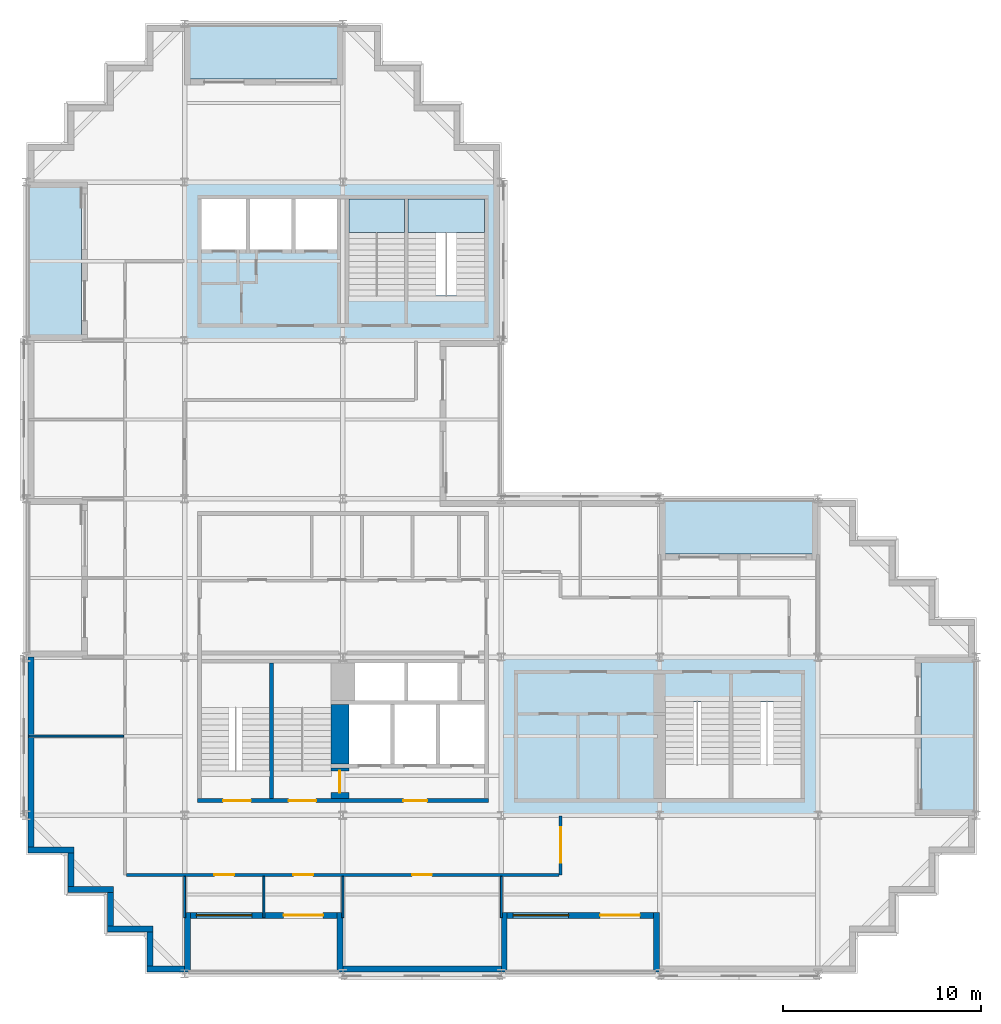
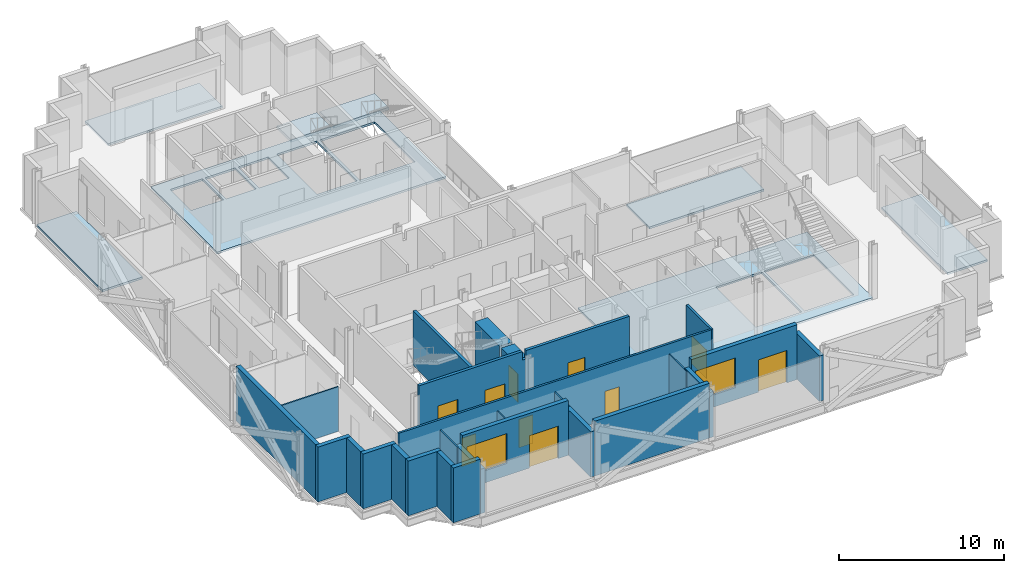
# One storey, part 4 of 11: 26 walls, 10 doors, 8 slabs, 2 windows, 12 openings, 2 elements without a shape of their own.
"""IFC4 building model written with IfcOpenShell, lengths in metres."""

from ifc_helpers import new_model, si_unit, direction, frame, frame_2d, origin, place, context, subcontext, project, spatial, polyline, rectangle, outline, extrude, material, layer, layer_set, type_object, element, fill, aggregate, save


model = new_model("IFC4")

# Units and contexts
model_context = context("Model", 3, precision=1e-05, world=origin(), true_north=direction((0.0, 1.0)))
body_context = subcontext(model_context, "Body", "Model", "MODEL_VIEW")
ifc_project = project(units=[si_unit("LENGTHUNIT", "METRE"), si_unit("AREAUNIT", "SQUARE_METRE"), si_unit("VOLUMEUNIT", "CUBIC_METRE"), si_unit("PLANEANGLEUNIT", "RADIAN"), si_unit("MASSUNIT", "GRAM", prefix="KILO")], contexts=[model_context])

# Site, building, storey
site_placement = place(None, origin())
site = spatial("IfcSite", under=ifc_project, at=site_placement, CompositionType="ELEMENT")
building_placement = place(site_placement, origin())
building = spatial("IfcBuilding", under=site, at=building_placement, Name="Immortelle Media Tower", CompositionType="ELEMENT")
storey_placement = place(building_placement, frame((0.0, 0.0, 141.0)))
storey = spatial("IfcBuildingStorey", under=building, at=storey_placement, Name="L28", CompositionType="ELEMENT", Elevation=141.0)

# Slabs
ifc_material_1 = material(Name="Concrete C50/60 composite deck", Category="concrete")
ifc_layer_1 = layer(ifc_material_1, 0.14990234375)
ifc_layer_set_1 = layer_set([ifc_layer_1], Name="Concrete C50/60 composite deck")
slab_type_1 = type_object("IfcSlabType", Name="Balcony slab 150", PredefinedType="FLOOR", material=ifc_layer_set_1)
slab_1_placement = place(storey_placement, frame((0.0, 0.0, -0.14990234375)))
element("IfcSlab", 1, at=slab_1_placement, inside=storey, type_object=slab_type_1, Name="Balcony slab L28 E0", PredefinedType="FLOOR", context=body_context, shape_type="SweptSolid", body=[
    extrude(outline(polyline([(48.0, 8.0), (48.0, 16.0), (45.199951171875, 16.0), (45.199951171875, 8.0), (48.0, 8.0)])), origin(), (0.0, 0.0, 1.0), 0.14990234375),
])
slab_2_placement = place(storey_placement, frame((0.0, 0.0, -0.14990234375)))
element("IfcSlab", 2, at=slab_2_placement, inside=storey, type_object=slab_type_1, Name="Balcony slab L28 N0", PredefinedType="FLOOR", context=body_context, shape_type="SweptSolid", body=[
    extrude(outline(polyline([(40.0, 21.199951171875), (40.0, 24.0), (32.0, 24.0), (32.0, 21.199951171875), (40.0, 21.199951171875)])), origin(), (0.0, 0.0, 1.0), 0.14990234375),
])
slab_3_placement = place(storey_placement, frame((0.0, 0.0, -0.14990234375)))
element("IfcSlab", 3, at=slab_3_placement, inside=storey, type_object=slab_type_1, Name="Balcony slab L28 N0", PredefinedType="FLOOR", context=body_context, shape_type="SweptSolid", body=[
    extrude(outline(polyline([(16.0, 45.199951171875), (16.0, 48.0), (8.0, 48.0), (8.0, 45.199951171875), (16.0, 45.199951171875)])), origin(), (0.0, 0.0, 1.0), 0.14990234375),
])
slab_4_placement = place(storey_placement, frame((0.0, 0.0, -0.14990234375)))
element("IfcSlab", 4, at=slab_4_placement, inside=storey, type_object=slab_type_1, Name="Balcony slab L28 W0", PredefinedType="FLOOR", context=body_context, shape_type="SweptSolid", body=[
    extrude(outline(polyline([(2.800048828125, 32.0), (2.800048828125, 40.0), (0.0, 40.0), (0.0, 32.0), (2.800048828125, 32.0)])), origin(), (0.0, 0.0, 1.0), 0.14990234375),
])
ifc_material_2 = material(Name="Concrete C50/60", Category="concrete")
ifc_layer_2 = layer(ifc_material_2, 0.14990234375)
ifc_layer_set_2 = layer_set([ifc_layer_2], Name="Concrete C50/60")
slab_type_2 = type_object("IfcSlabType", Name="Core floor slab 150", PredefinedType="FLOOR", material=ifc_layer_set_2)
slab_5_placement = place(storey_placement, frame((0.0, 0.0, -0.14990234375)))
element("IfcSlab", 5, at=slab_5_placement, inside=storey, type_object=slab_type_2, Name="Core floor SE", PredefinedType="FLOOR", context=body_context, shape_type="SweptSolid", body=[
    extrude(outline(polyline([(24.0, 8.0), (40.0, 8.0), (40.0, 16.0), (24.0, 16.0), (24.0, 8.0)]), holes=[polyline([(32.300048828125, 8.85009765625), (35.5, 8.85009765625), (35.5, 13.72998046875), (32.300048828125, 13.72998046875), (32.300048828125, 8.85009765625)]), polyline([(35.699951171875, 8.85009765625), (39.14990234375, 8.85009765625), (39.14990234375, 13.72998046875), (35.699951171875, 13.72998046875), (35.699951171875, 8.85009765625)])]), origin(), (0.0, 0.0, 1.0), 0.14990234375),
])
slab_6_placement = place(storey_placement, frame((0.0, 0.0, -0.14990234375)))
element("IfcSlab", 6, at=slab_6_placement, inside=storey, type_object=slab_type_2, Name="Core floor NW", PredefinedType="FLOOR", context=body_context, shape_type="SweptSolid", body=[
    extrude(outline(polyline([(8.0, 32.0), (24.0, 32.0), (24.0, 40.0), (8.0, 40.0), (8.0, 32.0)]), holes=[polyline([(8.85009765625, 36.60009765625), (11.10009765625, 36.60009765625), (11.10009765625, 39.14990234375), (8.85009765625, 39.14990234375), (8.85009765625, 36.60009765625)]), polyline([(11.300048828125, 36.60009765625), (13.39990234375, 36.60009765625), (13.39990234375, 39.14990234375), (11.300048828125, 39.14990234375), (11.300048828125, 36.60009765625)]), polyline([(13.60009765625, 36.60009765625), (15.699951171875, 36.60009765625), (15.699951171875, 39.14990234375), (13.60009765625, 39.14990234375), (13.60009765625, 36.60009765625)]), polyline([(16.300048828125, 34.27001953125), (19.10009765625, 34.27001953125), (19.10009765625, 39.14990234375), (16.300048828125, 39.14990234375), (16.300048828125, 34.27001953125)]), polyline([(19.300048828125, 34.27001953125), (23.14990234375, 34.27001953125), (23.14990234375, 39.14990234375), (19.300048828125, 39.14990234375), (19.300048828125, 34.27001953125)])]), origin(), (0.0, 0.0, 1.0), 0.14990234375),
])

# Stair, slab
ifc_material_3 = material(Name="Steel ASTM A992 Gr 50", Category="steel")
stair_type = type_object("IfcStairType", Name="Stair with flights", PredefinedType="DOUBLE_RETURN_STAIR", material=ifc_material_3)
stair_1_placement = place(storey_placement, origin())
stair_1 = element("IfcStair", 7, at=stair_1_placement, inside=storey, type_object=stair_type, Name="Exit stair NW1", PredefinedType="DOUBLE_RETURN_STAIR")
ifc_material_4 = material(Name="Steel ASTM A572 Gr 50", Category="steel")
ifc_layer_3 = layer(ifc_material_4, 0.199951171875)
ifc_layer_set_3 = layer_set([ifc_layer_3], Name="Steel ASTM A572 Gr 50")
slab_type_3 = type_object("IfcSlabType", Name="Stair landing 200", PredefinedType="LANDING", material=ifc_layer_set_3)
slab_7_placement = place(storey_placement, frame((0.0, 0.0, 1.89990234375)))
slab_7 = element("IfcSlab", 8, at=slab_7_placement, type_object=slab_type_3, Name="ST NW1 landing 1", PredefinedType="LANDING", context=body_context, shape_type="SweptSolid", body=[
    extrude(outline(polyline([(16.300048828125, 37.43994140625), (19.10009765625, 37.43994140625), (19.10009765625, 39.14990234375), (16.300048828125, 39.14990234375), (16.300048828125, 37.43994140625)])), origin(), (0.0, 0.0, 1.0), 0.2001953125),
])
aggregate(stair_1, [slab_7])

stair_2_placement = place(storey_placement, origin())
stair_2 = element("IfcStair", 9, at=stair_2_placement, inside=storey, type_object=stair_type, Name="Exit stair NW2", PredefinedType="DOUBLE_RETURN_STAIR")
slab_8_placement = place(storey_placement, frame((0.0, 0.0, 1.89990234375)))
slab_8 = element("IfcSlab", 10, at=slab_8_placement, type_object=slab_type_3, Name="ST NW2 landing 1", PredefinedType="LANDING", context=body_context, shape_type="SweptSolid", body=[
    extrude(outline(polyline([(19.300048828125, 37.43994140625), (23.14990234375, 37.43994140625), (23.14990234375, 39.14990234375), (19.300048828125, 39.14990234375), (19.300048828125, 37.43994140625)])), origin(), (0.0, 0.0, 1.0), 0.2001953125),
])
aggregate(stair_2, [slab_8])

# Wall, openings, doors
ifc_material_5 = material(Name="Fire-rated gypsum board", Category="gypsum")
ifc_layer_4 = layer(ifc_material_5, 0.012451171875)
ifc_material_6 = material(Name="Steel ASTM A653 SS Gr 50 stud frame with mineral wool", Category="steel")
ifc_layer_5 = layer(ifc_material_6, 0.125)
ifc_layer_6 = layer(ifc_material_5, 0.012451171875)
ifc_layer_set_4 = layer_set([ifc_layer_4, ifc_layer_5, ifc_layer_6], Name="Steel ASTM A653 SS Gr 50 stud frame with mineral wool")
wall_type_1 = type_object("IfcWallType", Name="Corridor wall 150", PredefinedType="PARTITIONING", material=ifc_layer_set_4)
wall_1_placement = place(storey_placement, frame((5.074951171875, 5.0, 0.0), z_axis=(0.0, 0.0, 1.0), x_axis=(1.0, 0.0, 0.0)))
wall_1 = element("IfcWall", 11, at=wall_1_placement, inside=storey, type_object=wall_type_1, Name="Partition L28-005", PredefinedType="PARTITIONING", context=body_context, shape_type="SweptSolid", body=[
    extrude(rectangle(XDim=21.85009765625, YDim=0.14990234375, at=frame_2d((10.925048828125, 0.0))), origin(), (0.0, 0.0, 1.0), 4.050048828125),
])
opening_1_placement = place(wall_1_placement, frame((15.425048828125, 0.0, 0.0), z_axis=(0.0, 0.0, 1.0), x_axis=(-1.0, 0.0, 0.0)))
opening_1 = element("IfcOpeningElement", 12, at=opening_1_placement, cuts=wall_1, Name="Opening C2-F001", PredefinedType="OPENING", context=body_context, shape_type="SweptSolid", body=[
    extrude(rectangle(XDim=1.0, YDim=2.10009765625, at=frame_2d((0.5, 1.050048828125))), frame((0.0, 0.0849609375, 0.0), z_axis=(0.0, -1.0, 0.0), x_axis=(1.0, 0.0, 0.0)), (0.0, 0.0, 1.0), 0.169921875),
])
opening_2_placement = place(wall_1_placement, frame((5.425048828125, 0.0, 0.0), z_axis=(0.0, 0.0, 1.0), x_axis=(-1.0, 0.0, 0.0)))
opening_2 = element("IfcOpeningElement", 13, at=opening_2_placement, cuts=wall_1, Name="Opening C2-F002", PredefinedType="OPENING", context=body_context, shape_type="SweptSolid", body=[
    extrude(rectangle(XDim=1.0, YDim=2.10009765625, at=frame_2d((0.5, 1.050048828125))), frame((0.0, 0.0849609375, 0.0), z_axis=(0.0, -1.0, 0.0), x_axis=(1.0, 0.0, 0.0)), (0.0, 0.0, 1.0), 0.169921875),
])
opening_3_placement = place(wall_1_placement, frame((9.425048828125, 0.0, 0.0), z_axis=(0.0, 0.0, 1.0), x_axis=(-1.0, 0.0, 0.0)))
opening_3 = element("IfcOpeningElement", 14, at=opening_3_placement, cuts=wall_1, Name="Opening C2-F003", PredefinedType="OPENING", context=body_context, shape_type="SweptSolid", body=[
    extrude(rectangle(XDim=1.0, YDim=2.10009765625, at=frame_2d((0.5, 1.050048828125))), frame((0.0, 0.0849609375, 0.0), z_axis=(0.0, -1.0, 0.0), x_axis=(1.0, 0.0, 0.0)), (0.0, 0.0, 1.0), 0.169921875),
])
ifc_material_7 = material(Name="Timber veneered door leaf, galvanised steel frame ASTM A653", Category="steel")
door_type_1 = type_object("IfcDoorType", Name="Room door 1000 x 2100", OperationType="NOTDEFINED", PredefinedType="DOOR", material=ifc_material_7)
door_1_placement = place(opening_1_placement, origin())
door_1 = element("IfcDoor", 15, at=door_1_placement, inside=storey, type_object=door_type_1, Name="Door C2-F001", OperationType="SINGLE_SWING_LEFT", OverallHeight=2.10009765625, OverallWidth=1.0, PredefinedType="DOOR", context=body_context, shape_type="SweptSolid", body=[
    extrude(rectangle(XDim=1.0, YDim=2.10009765625, at=frame_2d((0.5, 1.050048828125))), frame((0.0, 0.02490234375, 0.0), z_axis=(0.0, -1.0, 0.0), x_axis=(1.0, 0.0, 0.0)), (0.0, 0.0, 1.0), 0.050048828125),
])
fill(opening_1, door_1)
door_2_placement = place(opening_2_placement, origin())
door_2 = element("IfcDoor", 16, at=door_2_placement, inside=storey, type_object=door_type_1, Name="Door C2-F002", OperationType="SINGLE_SWING_RIGHT", OverallHeight=2.10009765625, OverallWidth=1.0, PredefinedType="DOOR", context=body_context, shape_type="SweptSolid", body=[
    extrude(rectangle(XDim=1.0, YDim=2.10009765625, at=frame_2d((0.5, 1.050048828125))), frame((0.0, 0.02490234375, 0.0), z_axis=(0.0, -1.0, 0.0), x_axis=(1.0, 0.0, 0.0)), (0.0, 0.0, 1.0), 0.050048828125),
])
fill(opening_2, door_2)
door_3_placement = place(opening_3_placement, origin())
door_3 = element("IfcDoor", 17, at=door_3_placement, inside=storey, type_object=door_type_1, Name="Door C2-F003", OperationType="SINGLE_SWING_RIGHT", OverallHeight=2.10009765625, OverallWidth=1.0, PredefinedType="DOOR", context=body_context, shape_type="SweptSolid", body=[
    extrude(rectangle(XDim=1.0, YDim=2.10009765625, at=frame_2d((0.5, 1.050048828125))), frame((0.0, 0.02490234375, 0.0), z_axis=(0.0, -1.0, 0.0), x_axis=(1.0, 0.0, 0.0)), (0.0, 0.0, 1.0), 0.050048828125),
])
fill(opening_3, door_3)

# Wall, opening, door
wall_2_placement = place(storey_placement, frame((27.0, 5.0, 0.0), z_axis=(0.0, 0.0, 1.0), x_axis=(0.0, 1.0, 0.0)))
wall_2 = element("IfcWall", 18, at=wall_2_placement, inside=storey, type_object=wall_type_1, Name="Partition L28-007", PredefinedType="PARTITIONING", context=body_context, shape_type="SweptSolid", body=[
    extrude(rectangle(XDim=2.969970703125, YDim=0.14990234375, at=frame_2d((1.48486328125, 0.0))), origin(), (0.0, 0.0, 1.0), 4.050048828125),
])
opening_4_placement = place(wall_2_placement, frame((0.60009765625, 0.0, 0.0)))
opening_4 = element("IfcOpeningElement", 19, at=opening_4_placement, cuts=wall_2, Name="Opening C2-F004", PredefinedType="OPENING", context=body_context, shape_type="SweptSolid", body=[
    extrude(rectangle(XDim=1.800048828125, YDim=2.10009765625, at=frame_2d((0.89990234375, 1.050048828125))), frame((0.0, 0.0849609375, 0.0), z_axis=(0.0, -1.0, 0.0), x_axis=(1.0, 0.0, 0.0)), (0.0, 0.0, 1.0), 0.169921875),
])
door_type_2 = type_object("IfcDoorType", Name="Room door 1800 x 2100", OperationType="DOUBLE_DOOR_SINGLE_SWING", PredefinedType="DOOR", material=ifc_material_7)
door_4_placement = place(opening_4_placement, origin())
door_4 = element("IfcDoor", 20, at=door_4_placement, inside=storey, type_object=door_type_2, Name="Door C2-F004", OperationType="DOUBLE_DOOR_SINGLE_SWING", OverallHeight=2.10009765625, OverallWidth=1.800048828125, PredefinedType="DOOR", context=body_context, shape_type="SweptSolid", body=[
    extrude(rectangle(XDim=1.800048828125, YDim=2.10009765625, at=frame_2d((0.89990234375, 1.050048828125))), frame((0.0, 0.02490234375, 0.0), z_axis=(0.0, -1.0, 0.0), x_axis=(1.0, 0.0, 0.0)), (0.0, 0.0, 1.0), 0.050048828125),
])
fill(opening_4, door_4)

# Walls
ifc_material_8 = material(Name="Pale aluminium cladding panel", Category="aluminium")
ifc_layer_7 = layer(ifc_material_8, 0.030029296875)
ifc_layer_8 = layer(ifc_material_6, 0.257568359375)
ifc_material_9 = material(Name="Moisture-resistant gypsum board", Category="gypsum")
ifc_layer_9 = layer(ifc_material_9, 0.012451171875)
ifc_layer_set_5 = layer_set([ifc_layer_7, ifc_layer_8, ifc_layer_9], Name="Steel ASTM A653 SS Gr 50 stud frame with mineral wool")
wall_type_2 = type_object("IfcWallType", Name="Facade wall 300", PredefinedType="SOLIDWALL", material=ifc_layer_set_5)
wall_3_placement = place(storey_placement, frame((0.10009765625, 6.25, 0.0), z_axis=(0.0, 0.0, 1.0), x_axis=(1.0, 0.0, 0.0)))
element("IfcWall", 21, at=wall_3_placement, inside=storey, type_object=wall_type_2, Name="Facade wall L28 S0", PredefinedType="SOLIDWALL", context=body_context, shape_type="SweptSolid", body=[
    extrude(rectangle(XDim=2.2998046875, YDim=0.300048828125, at=frame_2d((1.14990234375, 0.0))), origin(), (0.0, 0.0, 1.0), 4.050048828125),
])
wall_4_placement = place(storey_placement, frame((2.25, 6.10009765625, 0.0), z_axis=(0.0, 0.0, 1.0), x_axis=(0.0, -1.0, 0.0)))
element("IfcWall", 22, at=wall_4_placement, inside=storey, type_object=wall_type_2, Name="Facade wall L28 W1", PredefinedType="SOLIDWALL", context=body_context, shape_type="SweptSolid", body=[
    extrude(rectangle(XDim=1.7001953125, YDim=0.300048828125, at=frame_2d((0.85009765625, 0.0))), origin(), (0.0, 0.0, 1.0), 4.050048828125),
])
wall_5_placement = place(storey_placement, frame((2.10009765625, 4.25, 0.0), z_axis=(0.0, 0.0, 1.0), x_axis=(1.0, 0.0, 0.0)))
element("IfcWall", 23, at=wall_5_placement, inside=storey, type_object=wall_type_2, Name="Facade wall L28 S2", PredefinedType="SOLIDWALL", context=body_context, shape_type="SweptSolid", body=[
    extrude(rectangle(XDim=2.2998046875, YDim=0.300048828125, at=frame_2d((1.14990234375, 0.0))), origin(), (0.0, 0.0, 1.0), 4.050048828125),
])
wall_6_placement = place(storey_placement, frame((4.25, 4.10009765625, 0.0), z_axis=(0.0, 0.0, 1.0), x_axis=(0.0, -1.0, 0.0)))
element("IfcWall", 24, at=wall_6_placement, inside=storey, type_object=wall_type_2, Name="Facade wall L28 W3", PredefinedType="SOLIDWALL", context=body_context, shape_type="SweptSolid", body=[
    extrude(rectangle(XDim=1.7001953125, YDim=0.300048828125, at=frame_2d((0.85009765625, 0.0))), origin(), (0.0, 0.0, 1.0), 4.050048828125),
])
wall_7_placement = place(storey_placement, frame((4.10009765625, 2.25, 0.0), z_axis=(0.0, 0.0, 1.0), x_axis=(1.0, 0.0, 0.0)))
element("IfcWall", 25, at=wall_7_placement, inside=storey, type_object=wall_type_2, Name="Facade wall L28 S4", PredefinedType="SOLIDWALL", context=body_context, shape_type="SweptSolid", body=[
    extrude(rectangle(XDim=2.2998046875, YDim=0.300048828125, at=frame_2d((1.14990234375, 0.0))), origin(), (0.0, 0.0, 1.0), 4.050048828125),
])
wall_8_placement = place(storey_placement, frame((6.25, 2.10009765625, 0.0), z_axis=(0.0, 0.0, 1.0), x_axis=(0.0, -1.0, 0.0)))
element("IfcWall", 26, at=wall_8_placement, inside=storey, type_object=wall_type_2, Name="Facade wall L28 W5", PredefinedType="SOLIDWALL", context=body_context, shape_type="SweptSolid", body=[
    extrude(rectangle(XDim=1.7001953125, YDim=0.300048828125, at=frame_2d((0.85009765625, 0.0))), origin(), (0.0, 0.0, 1.0), 4.050048828125),
])
wall_9_placement = place(storey_placement, frame((6.10009765625, 0.25, 0.0), z_axis=(0.0, 0.0, 1.0), x_axis=(1.0, 0.0, 0.0)))
element("IfcWall", 27, at=wall_9_placement, inside=storey, type_object=wall_type_2, Name="Facade wall L28 S6", PredefinedType="SOLIDWALL", context=body_context, shape_type="SweptSolid", body=[
    extrude(rectangle(XDim=1.89990234375, YDim=0.300048828125, at=frame_2d((0.949951171875, 0.0))), origin(), (0.0, 0.0, 1.0), 4.050048828125),
])

# Wall, openings, door, window
wall_10_placement = place(storey_placement, frame((8.300048828125, 2.949951171875, 0.0), z_axis=(0.0, 0.0, 1.0), x_axis=(1.0, 0.0, 0.0)))
wall_10 = element("IfcWall", 28, at=wall_10_placement, inside=storey, type_object=wall_type_2, Name="Loggia wall L28 S6", PredefinedType="SOLIDWALL", context=body_context, shape_type="SweptSolid", body=[
    extrude(rectangle(XDim=7.39990234375, YDim=0.300048828125, at=frame_2d((3.699951171875, 0.0))), origin(), (0.0, 0.0, 1.0), 4.050048828125),
])
opening_5_placement = place(wall_10_placement, frame((0.300048828125, 0.0, 0.89990234375)))
opening_5 = element("IfcOpeningElement", 29, at=opening_5_placement, cuts=wall_10, Name="Opening W1", PredefinedType="OPENING", context=body_context, shape_type="SweptSolid", body=[
    extrude(rectangle(XDim=2.800048828125, YDim=2.199951171875, at=frame_2d((1.39990234375, 1.10009765625))), frame((0.0, 0.159912109375, 0.0), z_axis=(0.0, -1.0, 0.0), x_axis=(1.0, 0.0, 0.0)), (0.0, 0.0, 1.0), 0.320068359375),
])
opening_6_placement = place(wall_10_placement, frame((4.699951171875, 0.0, 0.0)))
opening_6 = element("IfcOpeningElement", 30, at=opening_6_placement, cuts=wall_10, Name="Opening C2-E001", PredefinedType="OPENING", context=body_context, shape_type="SweptSolid", body=[
    extrude(rectangle(XDim=2.0, YDim=2.39990234375, at=frame_2d((1.0, 1.199951171875))), frame((0.0, 0.159912109375, 0.0), z_axis=(0.0, -1.0, 0.0), x_axis=(1.0, 0.0, 0.0)), (0.0, 0.0, 1.0), 0.320068359375),
])
ifc_material_10 = material(Name="Aluminium frame, glazed leaves", Category="aluminium")
door_type_3 = type_object("IfcDoorType", Name="Loggia door 2000 x 2400", OperationType="DOUBLE_DOOR_SINGLE_SWING", PredefinedType="DOOR", material=ifc_material_10)
door_5_placement = place(opening_6_placement, origin())
door_5 = element("IfcDoor", 31, at=door_5_placement, inside=storey, type_object=door_type_3, Name="Door C2-E001", OperationType="DOUBLE_DOOR_SINGLE_SWING", OverallHeight=2.39990234375, OverallWidth=2.0, PredefinedType="DOOR", context=body_context, shape_type="SweptSolid", body=[
    extrude(rectangle(XDim=2.0, YDim=2.39990234375, at=frame_2d((1.0, 1.199951171875))), frame((0.0, 0.02490234375, 0.0), z_axis=(0.0, -1.0, 0.0), x_axis=(1.0, 0.0, 0.0)), (0.0, 0.0, 1.0), 0.050048828125),
])
fill(opening_6, door_5)
ifc_material_11 = material(Name="Aluminium frame", Category="aluminium")
window_type = type_object("IfcWindowType", Name="Window 2800 x 2200", PartitioningType="SINGLE_PANEL", PredefinedType="WINDOW", material=ifc_material_11)
window_1_placement = place(opening_5_placement, origin())
window_1 = element("IfcWindow", 32, at=window_1_placement, inside=storey, type_object=window_type, Name="Window L28 L28-R6-B0", OverallHeight=2.199951171875, OverallWidth=2.800048828125, PartitioningType="SINGLE_PANEL", PredefinedType="WINDOW", context=body_context, shape_type="SweptSolid", body=[
    extrude(rectangle(XDim=2.800048828125, YDim=2.199951171875, at=frame_2d((1.39990234375, 1.10009765625))), frame((0.0, 0.030029296875, 0.0), z_axis=(0.0, -1.0, 0.0), x_axis=(1.0, 0.0, 0.0)), (0.0, 0.0, 1.0), 0.06005859375),
])
fill(opening_5, window_1)

# Walls
wall_11_placement = place(storey_placement, frame((8.14990234375, 0.10009765625, 0.0), z_axis=(0.0, 0.0, 1.0), x_axis=(0.0, 1.0, 0.0)))
element("IfcWall", 33, at=wall_11_placement, inside=storey, type_object=wall_type_2, Name="Loggia cheek wall L28 S", PredefinedType="SOLIDWALL", context=body_context, shape_type="SweptSolid", body=[
    extrude(rectangle(XDim=3.0, YDim=0.300048828125, at=frame_2d((1.5, 0.0))), origin(), (0.0, 0.0, 1.0), 3.287109375),
])
wall_12_placement = place(storey_placement, frame((15.85009765625, 0.10009765625, 0.0), z_axis=(0.0, 0.0, 1.0), x_axis=(0.0, 1.0, 0.0)))
element("IfcWall", 34, at=wall_12_placement, inside=storey, type_object=wall_type_2, Name="Loggia cheek wall L28 S", PredefinedType="SOLIDWALL", context=body_context, shape_type="SweptSolid", body=[
    extrude(rectangle(XDim=3.0, YDim=0.300048828125, at=frame_2d((1.5, 0.0))), origin(), (0.0, 0.0, 1.0), 3.35595703125),
])
wall_13_placement = place(storey_placement, frame((16.0, 0.25, 0.0), z_axis=(0.0, 0.0, 1.0), x_axis=(1.0, 0.0, 0.0)))
element("IfcWall", 35, at=wall_13_placement, inside=storey, type_object=wall_type_2, Name="Facade wall L28 S6", PredefinedType="SOLIDWALL", context=body_context, shape_type="SweptSolid", body=[
    extrude(rectangle(XDim=8.0, YDim=0.300048828125, at=frame_2d((4.0, 0.0))), origin(), (0.0, 0.0, 1.0), 4.050048828125),
])

# Wall, openings, door, window
wall_14_placement = place(storey_placement, frame((24.300048828125, 2.949951171875, 0.0), z_axis=(0.0, 0.0, 1.0), x_axis=(1.0, 0.0, 0.0)))
wall_14 = element("IfcWall", 36, at=wall_14_placement, inside=storey, type_object=wall_type_2, Name="Loggia wall L28 S6", PredefinedType="SOLIDWALL", context=body_context, shape_type="SweptSolid", body=[
    extrude(rectangle(XDim=7.39990234375, YDim=0.300048828125, at=frame_2d((3.699951171875, 0.0))), origin(), (0.0, 0.0, 1.0), 4.050048828125),
])
opening_7_placement = place(wall_14_placement, frame((0.300048828125, 0.0, 0.89990234375)))
opening_7 = element("IfcOpeningElement", 37, at=opening_7_placement, cuts=wall_14, Name="Opening W1", PredefinedType="OPENING", context=body_context, shape_type="SweptSolid", body=[
    extrude(rectangle(XDim=2.800048828125, YDim=2.199951171875, at=frame_2d((1.39990234375, 1.10009765625))), frame((0.0, 0.159912109375, 0.0), z_axis=(0.0, -1.0, 0.0), x_axis=(1.0, 0.0, 0.0)), (0.0, 0.0, 1.0), 0.320068359375),
])
opening_8_placement = place(wall_14_placement, frame((4.699951171875, 0.0, 0.0)))
opening_8 = element("IfcOpeningElement", 38, at=opening_8_placement, cuts=wall_14, Name="Opening C2-E002", PredefinedType="OPENING", context=body_context, shape_type="SweptSolid", body=[
    extrude(rectangle(XDim=2.0, YDim=2.39990234375, at=frame_2d((1.0, 1.199951171875))), frame((0.0, 0.159912109375, 0.0), z_axis=(0.0, -1.0, 0.0), x_axis=(1.0, 0.0, 0.0)), (0.0, 0.0, 1.0), 0.320068359375),
])
door_6_placement = place(opening_8_placement, origin())
door_6 = element("IfcDoor", 39, at=door_6_placement, inside=storey, type_object=door_type_3, Name="Door C2-E002", OperationType="DOUBLE_DOOR_SINGLE_SWING", OverallHeight=2.39990234375, OverallWidth=2.0, PredefinedType="DOOR", context=body_context, shape_type="SweptSolid", body=[
    extrude(rectangle(XDim=2.0, YDim=2.39990234375, at=frame_2d((1.0, 1.199951171875))), frame((0.0, 0.02490234375, 0.0), z_axis=(0.0, -1.0, 0.0), x_axis=(1.0, 0.0, 0.0)), (0.0, 0.0, 1.0), 0.050048828125),
])
fill(opening_8, door_6)
window_2_placement = place(opening_7_placement, origin())
window_2 = element("IfcWindow", 40, at=window_2_placement, inside=storey, type_object=window_type, Name="Window L28 L28-R6-B2", OverallHeight=2.199951171875, OverallWidth=2.800048828125, PartitioningType="SINGLE_PANEL", PredefinedType="WINDOW", context=body_context, shape_type="SweptSolid", body=[
    extrude(rectangle(XDim=2.800048828125, YDim=2.199951171875, at=frame_2d((1.39990234375, 1.10009765625))), frame((0.0, 0.030029296875, 0.0), z_axis=(0.0, -1.0, 0.0), x_axis=(1.0, 0.0, 0.0)), (0.0, 0.0, 1.0), 0.06005859375),
])
fill(opening_7, window_2)

# Walls
for number, where, z_axis, x_axis, name in (
    (41, (24.14990234375, 0.10009765625, 0.0), (0.0, 0.0, 1.0), (0.0, 1.0, 0.0), "Loggia cheek wall L28 S"),
    (42, (31.85009765625, 0.10009765625, 0.0), (0.0, 0.0, 1.0), (0.0, 1.0, 0.0), "Loggia cheek wall L28 S"),
):
    element("IfcWall", number, at=place(storey_placement, frame(where, z_axis=z_axis, x_axis=x_axis)), inside=storey, type_object=wall_type_2, Name=name, PredefinedType="SOLIDWALL", context=body_context, shape_type="SweptSolid", body=[
        extrude(rectangle(XDim=3.0, YDim=0.300048828125, at=frame_2d((1.5, 0.0))), origin(), (0.0, 0.0, 1.0), 3.35595703125),
    ])
wall_15_placement = place(storey_placement, frame((0.25, 16.0, 0.0), z_axis=(0.0, 0.0, 1.0), x_axis=(0.0, -1.0, 0.0)))
element("IfcWall", 43, at=wall_15_placement, inside=storey, type_object=wall_type_2, Name="Facade wall L28 W35", PredefinedType="SOLIDWALL", context=body_context, shape_type="SweptSolid", body=[
    extrude(rectangle(XDim=9.60009765625, YDim=0.300048828125, at=frame_2d((4.800048828125, 0.0))), origin(), (0.0, 0.0, 1.0), 4.050048828125),
])
ifc_material_12 = material(Name="Gypsum board", Category="gypsum")
ifc_layer_10 = layer(ifc_material_12, 0.012451171875)
ifc_layer_11 = layer(ifc_material_6, 0.074951171875)
ifc_layer_12 = layer(ifc_material_12, 0.012451171875)
ifc_layer_set_6 = layer_set([ifc_layer_10, ifc_layer_11, ifc_layer_12], Name="Steel ASTM A653 SS Gr 50 stud frame with mineral wool")
wall_type_3 = type_object("IfcWallType", Name="Partition 100", PredefinedType="PARTITIONING", material=ifc_layer_set_6)
for number, where, z_axis, x_axis, name in (
    (44, (8.0, 2.830078125, 0.0), (0.0, 0.0, 1.0), (0.0, 1.0, 0.0), "Partition L28-001"),
    (45, (12.0, 2.830078125, 0.0), (0.0, 0.0, 1.0), (0.0, 1.0, 0.0), "Partition L28-002"),
    (46, (16.0, 2.830078125, 0.0), (0.0, 0.0, 1.0), (0.0, 1.0, 0.0), "Partition L28-003"),
    (47, (24.0, 2.830078125, 0.0), (0.0, 0.0, 1.0), (0.0, 1.0, 0.0), "Partition L28-004"),
):
    element("IfcWall", number, at=place(storey_placement, frame(where, z_axis=z_axis, x_axis=x_axis)), inside=storey, type_object=wall_type_3, Name=name, PredefinedType="PARTITIONING", context=body_context, shape_type="SweptSolid", body=[
        extrude(rectangle(XDim=2.094970703125, YDim=0.10009765625, at=frame_2d((1.04736328125, 0.0))), origin(), (0.0, 0.0, 1.0), 3.2880859375),
    ])
wall_16_placement = place(storey_placement, frame((0.1298828125, 12.0, 0.0), z_axis=(0.0, 0.0, 1.0), x_axis=(1.0, 0.0, 0.0)))
element("IfcWall", 48, at=wall_16_placement, inside=storey, type_object=wall_type_3, Name="Partition L28-008", PredefinedType="PARTITIONING", context=body_context, shape_type="SweptSolid", body=[
    extrude(rectangle(XDim=4.795166015625, YDim=0.10009765625, at=frame_2d((2.3974609375, 0.0))), origin(), (0.0, 0.0, 1.0), 3.2880859375),
])

# Wall, openings, doors
ifc_material_13 = material(Name="Concrete C60", Category="concrete")
ifc_layer_13 = layer(ifc_material_13, 0.199951171875)
ifc_layer_set_7 = layer_set([ifc_layer_13], Name="Concrete C60")
wall_type_4 = type_object("IfcWallType", Name="Stair shaft wall 200", PredefinedType="PARTITIONING", material=ifc_layer_set_7)
wall_17_placement = place(storey_placement, frame((8.64990234375, 8.75, 0.0), z_axis=(0.0, 0.0, 1.0), x_axis=(1.0, 0.0, 0.0)))
wall_17 = element("IfcWall", 49, at=wall_17_placement, inside=storey, type_object=wall_type_4, Name="Stair shaft wall SW", PredefinedType="PARTITIONING", context=body_context, shape_type="SweptSolid", body=[
    extrude(outline(polyline([(0.0, 0.0), (14.7001953125, 0.0), (14.699951171875, 4.050048828125), (7.469482421875, 4.050048828125), (7.468505859375, 3.431884765625), (7.2314453125, 3.431884765625), (7.23046875, 4.050048828125), (0.0, 4.050048828125), (0.0, 0.0)])), frame((0.0, 0.10009765625, 0.0), z_axis=(0.0, -1.0, 0.0), x_axis=(1.0, 0.0, 0.0)), (0.0, 0.0, 1.0), 0.199951171875),
])
opening_9_placement = place(wall_17_placement, frame((1.300048828125, 0.0, 0.0)))
opening_9 = element("IfcOpeningElement", 50, at=opening_9_placement, cuts=wall_17, Name="Opening C2-K002", PredefinedType="OPENING", context=body_context, shape_type="SweptSolid", body=[
    extrude(rectangle(XDim=1.39990234375, YDim=2.10009765625, at=frame_2d((0.699951171875, 1.050048828125))), frame((0.0, 0.10986328125, 0.0), z_axis=(0.0, -1.0, 0.0), x_axis=(1.0, 0.0, 0.0)), (0.0, 0.0, 1.0), 0.219970703125),
])
opening_10_placement = place(wall_17_placement, frame((4.60009765625, 0.0, 0.0)))
opening_10 = element("IfcOpeningElement", 51, at=opening_10_placement, cuts=wall_17, Name="Opening C2-K004", PredefinedType="OPENING", context=body_context, shape_type="SweptSolid", body=[
    extrude(rectangle(XDim=1.39990234375, YDim=2.10009765625, at=frame_2d((0.699951171875, 1.050048828125))), frame((0.0, 0.10986328125, 0.0), z_axis=(0.0, -1.0, 0.0), x_axis=(1.0, 0.0, 0.0)), (0.0, 0.0, 1.0), 0.219970703125),
])
opening_11_placement = place(wall_17_placement, frame((10.39990234375, 0.0, 0.0)))
opening_11 = element("IfcOpeningElement", 52, at=opening_11_placement, cuts=wall_17, Name="Opening C2-K009", PredefinedType="OPENING", context=body_context, shape_type="SweptSolid", body=[
    extrude(rectangle(XDim=1.199951171875, YDim=2.10009765625, at=frame_2d((0.60009765625, 1.050048828125))), frame((0.0, 0.10986328125, 0.0), z_axis=(0.0, -1.0, 0.0), x_axis=(1.0, 0.0, 0.0)), (0.0, 0.0, 1.0), 0.219970703125),
])
ifc_material_14 = material(Name="Galvanised steel door leaf and frame ASTM A653", Category="steel")
door_type_4 = type_object("IfcDoorType", Name="Fire-fighting lobby door 1200 x 2100", OperationType="NOTDEFINED", PredefinedType="NOTDEFINED", material=ifc_material_14)
door_7_placement = place(opening_11_placement, origin())
door_7 = element("IfcDoor", 53, at=door_7_placement, inside=storey, type_object=door_type_4, Name="Fire-fighting lobby C2-K009", OperationType="SINGLE_SWING_LEFT", OverallHeight=2.10009765625, OverallWidth=1.199951171875, PredefinedType="NOTDEFINED", context=body_context, shape_type="SweptSolid", body=[
    extrude(rectangle(XDim=1.199951171875, YDim=2.10009765625, at=frame_2d((0.60009765625, 1.050048828125))), frame((0.0, 0.02490234375, 0.0), z_axis=(0.0, -1.0, 0.0), x_axis=(1.0, 0.0, 0.0)), (0.0, 0.0, 1.0), 0.050048828125),
])
fill(opening_11, door_7)
door_type_5 = type_object("IfcDoorType", Name="Stair door 1400 x 2100", OperationType="DOUBLE_DOOR_SINGLE_SWING", PredefinedType="NOTDEFINED", material=ifc_material_14)
door_8_placement = place(opening_9_placement, origin())
door_8 = element("IfcDoor", 54, at=door_8_placement, inside=storey, type_object=door_type_5, Name="Stair C2-K002", OperationType="DOUBLE_DOOR_SINGLE_SWING", OverallHeight=2.10009765625, OverallWidth=1.39990234375, PredefinedType="NOTDEFINED", context=body_context, shape_type="SweptSolid", body=[
    extrude(rectangle(XDim=1.39990234375, YDim=2.10009765625, at=frame_2d((0.699951171875, 1.050048828125))), frame((0.0, 0.02490234375, 0.0), z_axis=(0.0, -1.0, 0.0), x_axis=(1.0, 0.0, 0.0)), (0.0, 0.0, 1.0), 0.050048828125),
])
fill(opening_9, door_8)
door_9_placement = place(opening_10_placement, origin())
door_9 = element("IfcDoor", 55, at=door_9_placement, inside=storey, type_object=door_type_5, Name="Stair C2-K004", OperationType="DOUBLE_DOOR_SINGLE_SWING", OverallHeight=2.10009765625, OverallWidth=1.39990234375, PredefinedType="NOTDEFINED", context=body_context, shape_type="SweptSolid", body=[
    extrude(rectangle(XDim=1.39990234375, YDim=2.10009765625, at=frame_2d((0.699951171875, 1.050048828125))), frame((0.0, 0.02490234375, 0.0), z_axis=(0.0, -1.0, 0.0), x_axis=(1.0, 0.0, 0.0)), (0.0, 0.0, 1.0), 0.050048828125),
])
fill(opening_10, door_9)

# Wall
wall_18_placement = place(storey_placement, frame((12.39990234375, 8.85009765625, 0.0), z_axis=(0.0, 0.0, 1.0), x_axis=(0.0, 1.0, 0.0)))
element("IfcWall", 56, at=wall_18_placement, inside=storey, type_object=wall_type_4, Name="Stair shaft wall SW", PredefinedType="PARTITIONING", context=body_context, shape_type="SweptSolid", body=[
    extrude(rectangle(XDim=6.849853515625, YDim=0.199951171875, at=frame_2d((3.4248046875, 0.0))), origin(), (0.0, 0.0, 1.0), 4.050048828125),
])

# Wall, opening, door
ifc_layer_14 = layer(ifc_material_13, 0.89990234375)
ifc_layer_set_8 = layer_set([ifc_layer_14], Name="Concrete C60")
wall_type_5 = type_object("IfcWallType", Name="Stair shaft wall 900", PredefinedType="PARTITIONING", material=ifc_layer_set_8)
wall_19_placement = place(storey_placement, frame((15.85009765625, 8.85009765625, 0.0), z_axis=(0.0, 0.0, 1.0), x_axis=(0.0, 1.0, 0.0)))
wall_19 = element("IfcWall", 57, at=wall_19_placement, inside=storey, type_object=wall_type_5, Name="Stair shaft wall SW", PredefinedType="PARTITIONING", context=body_context, shape_type="SweptSolid", body=[
    extrude(rectangle(XDim=1.5498046875, YDim=0.89990234375, at=frame_2d((0.77490234375, 0.0))), origin(), (0.0, 0.0, 1.0), 3.431884765625),
])
opening_12_placement = place(wall_19_placement, frame((0.300048828125, 0.0, 0.0)))
opening_12 = element("IfcOpeningElement", 58, at=opening_12_placement, cuts=wall_19, Name="Opening C2-K006", PredefinedType="OPENING", context=body_context, shape_type="SweptSolid", body=[
    extrude(rectangle(XDim=1.10009765625, YDim=2.10009765625, at=frame_2d((0.550048828125, 1.050048828125))), frame((0.0, 0.4599609375, 0.0), z_axis=(0.0, -1.0, 0.0), x_axis=(1.0, 0.0, 0.0)), (0.0, 0.0, 1.0), 0.919921875),
])
door_type_6 = type_object("IfcDoorType", Name="Stair lobby door 1100 x 2100", OperationType="NOTDEFINED", PredefinedType="NOTDEFINED", material=ifc_material_14)
door_10_placement = place(opening_12_placement, origin())
door_10 = element("IfcDoor", 59, at=door_10_placement, inside=storey, type_object=door_type_6, Name="Stair lobby C2-K006", OperationType="SINGLE_SWING_LEFT", OverallHeight=2.10009765625, OverallWidth=1.10009765625, PredefinedType="NOTDEFINED", context=body_context, shape_type="SweptSolid", body=[
    extrude(rectangle(XDim=1.10009765625, YDim=2.10009765625, at=frame_2d((0.550048828125, 1.050048828125))), frame((0.0, 0.02490234375, 0.0), z_axis=(0.0, -1.0, 0.0), x_axis=(1.0, 0.0, 0.0)), (0.0, 0.0, 1.0), 0.050048828125),
])
fill(opening_12, door_10)

# Wall
wall_20_placement = place(storey_placement, frame((15.85009765625, 10.60009765625, 0.0), z_axis=(0.0, 0.0, 1.0), x_axis=(0.0, 1.0, 0.0)))
element("IfcWall", 60, at=wall_20_placement, inside=storey, type_object=wall_type_5, Name="Stair shaft wall SW", PredefinedType="PARTITIONING", context=body_context, shape_type="SweptSolid", body=[
    extrude(rectangle(XDim=3.0, YDim=0.89990234375, at=frame_2d((1.5, 0.0))), origin(), (0.0, 0.0, 1.0), 3.431884765625),
])

save(model, "model.ifc")
